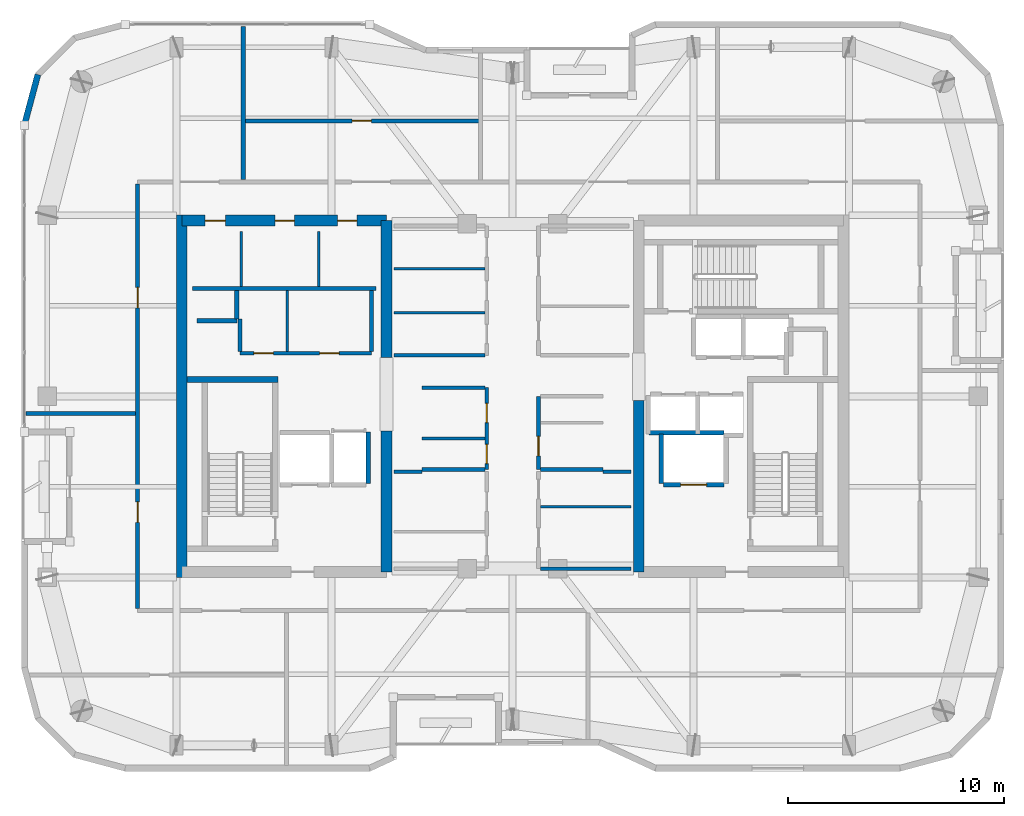
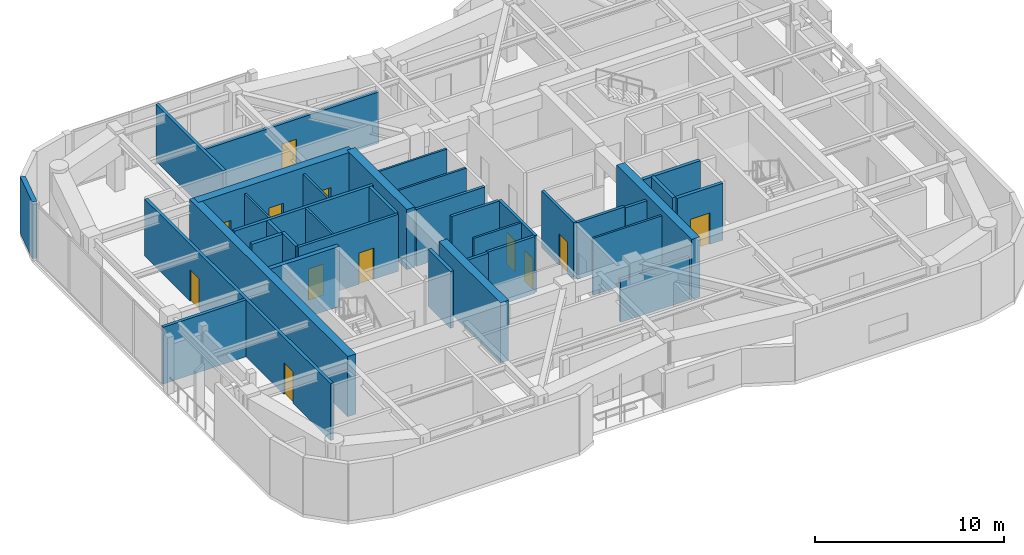
# One storey, part 11 of 16: 37 walls, 12 doors, 12 openings.
"""IFC4 building model written with IfcOpenShell, lengths in metres."""

from ifc_helpers import new_model, si_unit, direction, frame, frame_2d, origin, place, context, subcontext, project, spatial, rectangle, extrude, material, layer, layer_set, type_object, element, fill, save


model = new_model("IFC4")

# Units and contexts
model_context = context("Model", 3, precision=1e-05, world=origin(), true_north=direction((0.0, 1.0)))
body_context = subcontext(model_context, "Body", "Model", "MODEL_VIEW")
ifc_project = project(units=[si_unit("LENGTHUNIT", "METRE"), si_unit("AREAUNIT", "SQUARE_METRE"), si_unit("VOLUMEUNIT", "CUBIC_METRE"), si_unit("PLANEANGLEUNIT", "RADIAN"), si_unit("MASSUNIT", "GRAM", prefix="KILO")], contexts=[model_context])

# Site, building, storey
site_placement = place(None, origin())
site = spatial("IfcSite", under=ifc_project, at=site_placement, CompositionType="ELEMENT")
building_placement = place(site_placement, origin())
building = spatial("IfcBuilding", under=site, at=building_placement, Name="Kiyonajd Concourse Tower", CompositionType="ELEMENT")
storey_placement = place(building_placement, frame((0.0, 0.0, 329.699951171875)))
storey = spatial("IfcBuildingStorey", under=building, at=storey_placement, Name="L83", CompositionType="ELEMENT", Elevation=329.699951171875)

# Walls
ifc_material_1 = material(Name="Concrete C60/75", Category="concrete")
ifc_layer_1 = layer(ifc_material_1, 0.5)
ifc_layer_set_1 = layer_set([ifc_layer_1], Name="Concrete C60/75")
wall_type_1 = type_object("IfcWallType", Name="WL-CORE-500", PredefinedType="SHEAR", material=ifc_layer_set_1)
wall_1_placement = place(storey_placement, frame((32.64990234375, 27.60009765625, 0.0), z_axis=(0.0, 0.0, 1.0), x_axis=(0.0, 1.0, 0.0)))
element("IfcWall", 1, at=wall_1_placement, inside=storey, type_object=wall_type_1, Name="L83 West Core Outer Shear Wall", PredefinedType="SHEAR", context=body_context, shape_type="SweptSolid", body=[
    extrude(rectangle(XDim=16.7998046875, YDim=0.5, at=frame_2d((8.39990234375, 0.0))), origin(), (0.0, 0.0, 1.0), 3.900146484375),
])
wall_2_placement = place(storey_placement, frame((42.14990234375, 27.85009765625, 0.0), z_axis=(0.0, 0.0, 1.0), x_axis=(0.0, 1.0, 0.0)))
element("IfcWall", 2, at=wall_2_placement, inside=storey, type_object=wall_type_1, Name="L83 West Core Inner South Shear Wall", PredefinedType="SHEAR", context=body_context, shape_type="SweptSolid", body=[
    extrude(rectangle(XDim=6.5498046875, YDim=0.5, at=frame_2d((3.27490234375, 0.0))), origin(), (0.0, 0.0, 1.0), 3.900146484375),
])
wall_3_placement = place(storey_placement, frame((42.14990234375, 37.800048828125, 0.0), z_axis=(0.0, 0.0, 1.0), x_axis=(0.0, 1.0, 0.0)))
element("IfcWall", 3, at=wall_3_placement, inside=storey, type_object=wall_type_1, Name="L83 West Core Inner North Shear Wall", PredefinedType="SHEAR", context=body_context, shape_type="SweptSolid", body=[
    extrude(rectangle(XDim=6.349853515625, YDim=0.5, at=frame_2d((3.1748046875, 0.0))), origin(), (0.0, 0.0, 1.0), 3.900146484375),
])

# Wall, openings, doors
wall_4_placement = place(storey_placement, frame((32.64990234375, 44.14990234375, 0.0), z_axis=(0.0, 0.0, 1.0), x_axis=(1.0, 0.0, 0.0)))
wall_4 = element("IfcWall", 4, at=wall_4_placement, inside=storey, type_object=wall_type_1, Name="L83 West Core North Shear Wall", PredefinedType="SHEAR", context=body_context, shape_type="SweptSolid", body=[
    extrude(rectangle(XDim=9.5, YDim=0.5, at=frame_2d((4.75, 0.0))), origin(), (0.0, 0.0, 1.0), 3.900146484375),
])
opening_1_placement = place(wall_4_placement, frame((1.074951171875, 0.0, 0.0)))
opening_1 = element("IfcOpeningElement", 5, at=opening_1_placement, cuts=wall_4, Name="Opening DI1", PredefinedType="OPENING", context=body_context, shape_type="SweptSolid", body=[
    extrude(rectangle(XDim=0.949951171875, YDim=2.0400390625, at=frame_2d((0.47509765625, 1.02001953125))), frame((0.0, 0.260009765625, 0.0), z_axis=(0.0, -1.0, 0.0), x_axis=(1.0, 0.0, 0.0)), (0.0, 0.0, 1.0), 0.52001953125),
])
opening_2_placement = place(wall_4_placement, frame((4.324951171875, 0.0, 0.0)))
opening_2 = element("IfcOpeningElement", 6, at=opening_2_placement, cuts=wall_4, Name="Opening DI2", PredefinedType="OPENING", context=body_context, shape_type="SweptSolid", body=[
    extrude(rectangle(XDim=0.89990234375, YDim=2.02001953125, at=frame_2d((0.449951171875, 1.010009765625))), frame((0.0, 0.260009765625, 0.0), z_axis=(0.0, -1.0, 0.0), x_axis=(1.0, 0.0, 0.0)), (0.0, 0.0, 1.0), 0.52001953125),
])
opening_3_placement = place(wall_4_placement, frame((7.22509765625, 0.0, 0.0)))
opening_3 = element("IfcOpeningElement", 7, at=opening_3_placement, cuts=wall_4, Name="Opening DI2", PredefinedType="OPENING", context=body_context, shape_type="SweptSolid", body=[
    extrude(rectangle(XDim=0.89990234375, YDim=2.02001953125, at=frame_2d((0.449951171875, 1.010009765625))), frame((0.0, 0.260009765625, 0.0), z_axis=(0.0, -1.0, 0.0), x_axis=(1.0, 0.0, 0.0)), (0.0, 0.0, 1.0), 0.52001953125),
])
ifc_material_2 = material(Name="Natural Oak Acoustic Timber Veneer", Category="wood")
door_type_1 = type_object("IfcDoorType", Name="DR-INT-900", OperationType="NOTDEFINED", PredefinedType="DOOR", material=ifc_material_2)
door_1_placement = place(opening_2_placement, origin())
door_1 = element("IfcDoor", 8, at=door_1_placement, inside=storey, type_object=door_type_1, Name="L83 Male Restroom Door", OperationType="SINGLE_SWING_RIGHT", OverallHeight=2.02001953125, OverallWidth=0.89990234375, PredefinedType="DOOR", context=body_context, shape_type="SweptSolid", body=[
    extrude(rectangle(XDim=0.89990234375, YDim=2.02001953125, at=frame_2d((0.449951171875, 1.010009765625))), frame((0.0, 0.02490234375, 0.0), z_axis=(0.0, -1.0, 0.0), x_axis=(1.0, 0.0, 0.0)), (0.0, 0.0, 1.0), 0.050048828125),
])
fill(opening_2, door_1)
door_2_placement = place(opening_3_placement, origin())
door_2 = element("IfcDoor", 9, at=door_2_placement, inside=storey, type_object=door_type_1, Name="L83 Female Restroom Door", OperationType="SINGLE_SWING_LEFT", OverallHeight=2.02001953125, OverallWidth=0.89990234375, PredefinedType="DOOR", context=body_context, shape_type="SweptSolid", body=[
    extrude(rectangle(XDim=0.89990234375, YDim=2.02001953125, at=frame_2d((0.449951171875, 1.010009765625))), frame((0.0, 0.02490234375, 0.0), z_axis=(0.0, -1.0, 0.0), x_axis=(1.0, 0.0, 0.0)), (0.0, 0.0, 1.0), 0.050048828125),
])
fill(opening_3, door_2)
door_type_2 = type_object("IfcDoorType", Name="DR-INT-950", OperationType="NOTDEFINED", PredefinedType="DOOR", material=ifc_material_2)
door_3_placement = place(opening_1_placement, origin())
door_3 = element("IfcDoor", 10, at=door_3_placement, inside=storey, type_object=door_type_2, Name="L83 Single User Accessible WC Door", OperationType="SINGLE_SWING_LEFT", OverallHeight=2.0400390625, OverallWidth=0.949951171875, PredefinedType="DOOR", context=body_context, shape_type="SweptSolid", body=[
    extrude(rectangle(XDim=0.949951171875, YDim=2.0400390625, at=frame_2d((0.47509765625, 1.02001953125))), frame((0.0, 0.02490234375, 0.0), z_axis=(0.0, -1.0, 0.0), x_axis=(1.0, 0.0, 0.0)), (0.0, 0.0, 1.0), 0.050048828125),
])
fill(opening_1, door_3)

# Walls
wall_5_placement = place(storey_placement, frame((53.85009765625, 27.85009765625, 0.0), z_axis=(0.0, 0.0, 1.0), x_axis=(0.0, 1.0, 0.0)))
element("IfcWall", 11, at=wall_5_placement, inside=storey, type_object=wall_type_1, Name="L83 East Core Inner South Shear Wall", PredefinedType="SHEAR", context=body_context, shape_type="SweptSolid", body=[
    extrude(rectangle(XDim=7.949951171875, YDim=0.5, at=frame_2d((3.97509765625, 0.0))), origin(), (0.0, 0.0, 1.0), 3.900146484375),
])
ifc_material_3 = material(Name="Precast concrete C50/60", Category="concrete")
ifc_layer_2 = layer(ifc_material_3, 0.280029296875)
ifc_layer_set_2 = layer_set([ifc_layer_2], Name="Precast concrete C50/60")
wall_type_2 = type_object("IfcWallType", Name="WL-EXT-280", PredefinedType="SOLIDWALL", material=ifc_layer_set_2)
wall_6_placement = place(storey_placement, frame((25.340087890625, 48.58154296875, 0.0), z_axis=(0.0, 0.0, 1.0), x_axis=(0.258751159445, 0.965944013639, 0.0)))
element("IfcWall", 12, at=wall_6_placement, inside=storey, type_object=wall_type_2, Name="L83 Exterior Concrete Frame Wall 06", PredefinedType="SOLIDWALL", context=body_context, shape_type="SweptSolid", body=[
    extrude(rectangle(XDim=2.4287109375, YDim=0.280029296875, at=frame_2d((1.21435546875, 0.0))), origin(), (0.0, 0.0, 1.0), 3.679931640625),
])
ifc_material_4 = material(Name="Gypsum Board on Cold-Formed Steel Stud", Category="steel")
ifc_layer_3 = layer(ifc_material_4, 0.125)
ifc_layer_set_3 = layer_set([ifc_layer_3], Name="Gypsum Board on Cold-Formed Steel Stud")
wall_type_3 = type_object("IfcWallType", Name="WL-PART-125", PredefinedType="PARTITIONING", material=ifc_layer_set_3)
for number, where, z_axis, x_axis, name in (
    (13, (35.39990234375, 41.094970703125, 0.0), (0.0, 0.0, 1.0), (0.0, 1.0, 0.0), "L83 Interior Partition Wall"),
    (14, (39.0, 41.094970703125, 0.0), (0.0, 0.0, 1.0), (0.0, 1.0, 0.0), "L83 Interior Partition Wall"),
):
    element("IfcWall", number, at=place(storey_placement, frame(where, z_axis=z_axis, x_axis=x_axis)), inside=storey, type_object=wall_type_3, Name=name, PredefinedType="PARTITIONING", context=body_context, shape_type="SweptSolid", body=[
        extrude(rectangle(XDim=2.554931640625, YDim=0.125, at=frame_2d((1.27734375, 0.0))), origin(), (0.0, 0.0, 1.0), 3.679931640625),
    ])
wall_7_placement = place(storey_placement, frame((37.5458984375, 38.0869140625, 0.0), z_axis=(0.0, 0.0, 1.0), x_axis=(0.0, 1.0, 0.0)))
element("IfcWall", 15, at=wall_7_placement, inside=storey, type_object=wall_type_3, Name="L83 Interior Partition Wall", PredefinedType="PARTITIONING", context=body_context, shape_type="SweptSolid", body=[
    extrude(rectangle(XDim=2.81298828125, YDim=0.125, at=frame_2d((1.406494140625, 0.0))), origin(), (0.0, 0.0, 1.0), 3.679931640625),
])
wall_8_placement = place(storey_placement, frame((43.800048828125, 34.0439453125, 0.0), z_axis=(0.0, 0.0, 1.0), x_axis=(1.0, 0.0, 0.0)))
element("IfcWall", 16, at=wall_8_placement, inside=storey, type_object=wall_type_3, Name="L83 Interior Partition Wall", PredefinedType="PARTITIONING", context=body_context, shape_type="SweptSolid", body=[
    extrude(rectangle(XDim=2.912841796875, YDim=0.125, at=frame_2d((1.45654296875, 0.0))), origin(), (0.0, 0.0, 1.0), 3.679931640625),
])
for number, where, z_axis, x_axis, name in (
    (17, (49.287109375, 30.8798828125, 0.0), (0.0, 0.0, 1.0), (1.0, 0.0, 0.0), "L83 Interior Partition Wall"),
    (18, (42.5, 39.8798828125, 0.0), (0.0, 0.0, 1.0), (1.0, 0.0, 0.0), "L83 Interior Partition Wall"),
    (19, (42.5, 41.919921875, 0.0), (0.0, 0.0, 1.0), (1.0, 0.0, 0.0), "L83 Interior Partition Wall"),
):
    element("IfcWall", number, at=place(storey_placement, frame(where, z_axis=z_axis, x_axis=x_axis)), inside=storey, type_object=wall_type_3, Name=name, PredefinedType="PARTITIONING", context=body_context, shape_type="SweptSolid", body=[
        extrude(rectangle(XDim=4.212890625, YDim=0.125, at=frame_2d((2.1064453125, 0.0))), origin(), (0.0, 0.0, 1.0), 3.679931640625),
    ])
ifc_layer_4 = layer(ifc_material_4, 0.18994140625)
ifc_layer_set_4 = layer_set([ifc_layer_4], Name="Gypsum Board on Cold-Formed Steel Stud")
wall_type_4 = type_object("IfcWallType", Name="WL-PLMB-190", PredefinedType="PLUMBINGWALL", material=ifc_layer_set_4)
wall_9_placement = place(storey_placement, frame((33.14990234375, 41.0, 0.0), z_axis=(0.0, 0.0, 1.0), x_axis=(1.0, 0.0, 0.0)))
element("IfcWall", 20, at=wall_9_placement, inside=storey, type_object=wall_type_4, Name="L83 Interior Partition Wall", PredefinedType="PLUMBINGWALL", context=body_context, shape_type="SweptSolid", body=[
    extrude(rectangle(XDim=8.5, YDim=0.18994140625, at=frame_2d((4.25, 0.0))), origin(), (0.0, 0.0, 1.0), 3.679931640625),
])

# Wall, openings, doors
wall_10_placement = place(storey_placement, frame((30.60009765625, 26.14697265625, 0.0), z_axis=(0.0, 0.0, 1.0), x_axis=(0.0, 1.0, 0.0)))
wall_10 = element("IfcWall", 21, at=wall_10_placement, inside=storey, type_object=wall_type_4, Name="L83 Interior Partition Wall", PredefinedType="PLUMBINGWALL", context=body_context, shape_type="SweptSolid", body=[
    extrude(rectangle(XDim=19.7060546875, YDim=0.18994140625, at=frame_2d((9.85302734375, 0.0))), origin(), (0.0, 0.0, 1.0), 3.679931640625),
])
opening_4_placement = place(wall_10_placement, frame((4.0029296875, 0.0, 0.0)))
opening_4 = element("IfcOpeningElement", 22, at=opening_4_placement, cuts=wall_10, Name="Opening DI1", PredefinedType="OPENING", context=body_context, shape_type="SweptSolid", body=[
    extrude(rectangle(XDim=0.949951171875, YDim=2.0400390625, at=frame_2d((0.47509765625, 1.02001953125))), frame((0.0, 0.10498046875, 0.0), z_axis=(0.0, -1.0, 0.0), x_axis=(1.0, 0.0, 0.0)), (0.0, 0.0, 1.0), 0.2099609375),
])
opening_5_placement = place(wall_10_placement, frame((13.952880859375, 0.0, 0.0)))
opening_5 = element("IfcOpeningElement", 23, at=opening_5_placement, cuts=wall_10, Name="Opening DI1", PredefinedType="OPENING", context=body_context, shape_type="SweptSolid", body=[
    extrude(rectangle(XDim=0.949951171875, YDim=2.0400390625, at=frame_2d((0.47509765625, 1.02001953125))), frame((0.0, 0.10498046875, 0.0), z_axis=(0.0, -1.0, 0.0), x_axis=(1.0, 0.0, 0.0)), (0.0, 0.0, 1.0), 0.2099609375),
])
door_4_placement = place(opening_4_placement, origin())
door_4 = element("IfcDoor", 24, at=door_4_placement, inside=storey, type_object=door_type_2, Name="L83 Interior Door", OperationType="SINGLE_SWING_LEFT", OverallHeight=2.0400390625, OverallWidth=0.949951171875, PredefinedType="DOOR", context=body_context, shape_type="SweptSolid", body=[
    extrude(rectangle(XDim=0.949951171875, YDim=2.0400390625, at=frame_2d((0.47509765625, 1.02001953125))), frame((0.0, 0.02490234375, 0.0), z_axis=(0.0, -1.0, 0.0), x_axis=(1.0, 0.0, 0.0)), (0.0, 0.0, 1.0), 0.050048828125),
])
fill(opening_4, door_4)
door_5_placement = place(opening_5_placement, origin())
door_5 = element("IfcDoor", 25, at=door_5_placement, inside=storey, type_object=door_type_2, Name="L83 Interior Door", OperationType="SINGLE_SWING_RIGHT", OverallHeight=2.0400390625, OverallWidth=0.949951171875, PredefinedType="DOOR", context=body_context, shape_type="SweptSolid", body=[
    extrude(rectangle(XDim=0.949951171875, YDim=2.0400390625, at=frame_2d((0.47509765625, 1.02001953125))), frame((0.0, 0.02490234375, 0.0), z_axis=(0.0, -1.0, 0.0), x_axis=(1.0, 0.0, 0.0)), (0.0, 0.0, 1.0), 0.050048828125),
])
fill(opening_5, door_5)

# Wall, opening, door
wall_11_placement = place(storey_placement, frame((35.5, 48.780029296875, 0.0), z_axis=(0.0, 0.0, 1.0), x_axis=(1.0, 0.0, 0.0)))
wall_11 = element("IfcWall", 26, at=wall_11_placement, inside=storey, type_object=wall_type_4, Name="L83 Interior Partition Wall", PredefinedType="PLUMBINGWALL", context=body_context, shape_type="SweptSolid", body=[
    extrude(rectangle(XDim=11.0, YDim=0.18994140625, at=frame_2d((5.5, 0.0))), origin(), (0.0, 0.0, 1.0), 3.31103515625),
])
opening_6_placement = place(wall_11_placement, frame((5.050048828125, 0.0, 0.0)))
opening_6 = element("IfcOpeningElement", 27, at=opening_6_placement, cuts=wall_11, Name="Opening DI2", PredefinedType="OPENING", context=body_context, shape_type="SweptSolid", body=[
    extrude(rectangle(XDim=0.89990234375, YDim=2.02001953125, at=frame_2d((0.449951171875, 1.010009765625))), frame((0.0, 0.10498046875, 0.0), z_axis=(0.0, -1.0, 0.0), x_axis=(1.0, 0.0, 0.0)), (0.0, 0.0, 1.0), 0.2099609375),
])
door_6_placement = place(opening_6_placement, origin())
door_6 = element("IfcDoor", 28, at=door_6_placement, inside=storey, type_object=door_type_1, Name="L83 Interior Door", OperationType="SINGLE_SWING_LEFT", OverallHeight=2.02001953125, OverallWidth=0.89990234375, PredefinedType="DOOR", context=body_context, shape_type="SweptSolid", body=[
    extrude(rectangle(XDim=0.89990234375, YDim=2.02001953125, at=frame_2d((0.449951171875, 1.010009765625))), frame((0.0, 0.02490234375, 0.0), z_axis=(0.0, -1.0, 0.0), x_axis=(1.0, 0.0, 0.0)), (0.0, 0.0, 1.0), 0.050048828125),
])
fill(opening_6, door_6)

# Walls
wall_12_placement = place(storey_placement, frame((35.5, 46.047119140625, 0.0), z_axis=(0.0, 0.0, 1.0), x_axis=(0.0, 1.0, 0.0)))
element("IfcWall", 29, at=wall_12_placement, inside=storey, type_object=wall_type_4, Name="L83 Interior Partition Wall", PredefinedType="PLUMBINGWALL", context=body_context, shape_type="SweptSolid", body=[
    extrude(rectangle(XDim=7.117919921875, YDim=0.18994140625, at=frame_2d((3.55908203125, 0.0))), origin(), (0.0, 0.0, 1.0), 3.679931640625),
])
wall_13_placement = place(storey_placement, frame((25.425048828125, 35.199951171875, 0.0), z_axis=(0.0, 0.0, 1.0), x_axis=(1.0, 0.0, 0.0)))
element("IfcWall", 30, at=wall_13_placement, inside=storey, type_object=wall_type_4, Name="L83 Interior Partition Wall", PredefinedType="PLUMBINGWALL", context=body_context, shape_type="SweptSolid", body=[
    extrude(rectangle(XDim=5.077880859375, YDim=0.18994140625, at=frame_2d((2.5390625, 0.0))), origin(), (0.0, 0.0, 1.0), 3.679931640625),
])
ifc_layer_5 = layer(ifc_material_4, 0.2099609375)
ifc_layer_set_5 = layer_set([ifc_layer_5], Name="Gypsum Board on Cold-Formed Steel Stud")
wall_type_5 = type_object("IfcWallType", Name="WL-SHAFT-210", PredefinedType="PARTITIONING", material=ifc_layer_set_5)
wall_14_placement = place(storey_placement, frame((33.360107421875, 39.5, 0.0), z_axis=(0.0, 0.0, 1.0), x_axis=(1.0, 0.0, 0.0)))
element("IfcWall", 31, at=wall_14_placement, inside=storey, type_object=wall_type_5, Name="L83 Shaft Enclosure Wall", PredefinedType="PARTITIONING", context=body_context, shape_type="SweptSolid", body=[
    extrude(rectangle(XDim=1.85986328125, YDim=0.2099609375, at=frame_2d((0.929931640625, 0.0))), origin(), (0.0, 0.0, 1.0), 3.679931640625),
])
wall_15_placement = place(storey_placement, frame((35.199951171875, 39.580078125, 0.0), z_axis=(0.0, 0.0, 1.0), x_axis=(0.0, 1.0, 0.0)))
element("IfcWall", 32, at=wall_15_placement, inside=storey, type_object=wall_type_5, Name="L83 Shaft Enclosure Wall", PredefinedType="PARTITIONING", context=body_context, shape_type="SweptSolid", body=[
    extrude(rectangle(XDim=1.31982421875, YDim=0.2099609375, at=frame_2d((0.659912109375, 0.0))), origin(), (0.0, 0.0, 1.0), 3.679931640625),
])

# Wall, opening, door
wall_16_placement = place(storey_placement, frame((55.0, 31.89990234375, 0.0), z_axis=(0.0, 0.0, 1.0), x_axis=(1.0, 0.0, 0.0)))
wall_16 = element("IfcWall", 33, at=wall_16_placement, inside=storey, type_object=wall_type_5, Name="L83 Shaft Enclosure Wall", PredefinedType="PARTITIONING", context=body_context, shape_type="SweptSolid", body=[
    extrude(rectangle(XDim=2.800048828125, YDim=0.2099609375, at=frame_2d((1.39990234375, 0.0))), origin(), (0.0, 0.0, 1.0), 3.679931640625),
])
opening_7_placement = place(wall_16_placement, frame((0.800048828125, 0.0, 0.0)))
opening_7 = element("IfcOpeningElement", 34, at=opening_7_placement, cuts=wall_16, Name="Opening LD2", PredefinedType="OPENING", context=body_context, shape_type="SweptSolid", body=[
    extrude(rectangle(XDim=1.199951171875, YDim=2.0400390625, at=frame_2d((0.60009765625, 1.02001953125))), frame((0.0, 0.114990234375, 0.0), z_axis=(0.0, -1.0, 0.0), x_axis=(1.0, 0.0, 0.0)), (0.0, 0.0, 1.0), 0.22998046875),
])
ifc_material_5 = material(Name="Brushed Stainless Steel Cab Assembly", Category="steel")
door_type_3 = type_object("IfcDoorType", Name="DR-LD-1200", OperationType="DOUBLE_DOOR_SLIDING", PredefinedType="DOOR", material=ifc_material_5)
door_7_placement = place(opening_7_placement, origin())
door_7 = element("IfcDoor", 35, at=door_7_placement, inside=storey, type_object=door_type_3, Name="L83 Lift FFL2 Sliding Landing Door", OperationType="DOUBLE_DOOR_SLIDING", OverallHeight=2.0400390625, OverallWidth=1.199951171875, PredefinedType="DOOR", context=body_context, shape_type="SweptSolid", body=[
    extrude(rectangle(XDim=1.199951171875, YDim=2.0400390625, at=frame_2d((0.60009765625, 1.02001953125))), frame((0.0, 0.02490234375, 0.0), z_axis=(0.0, -1.0, 0.0), x_axis=(1.0, 0.0, 0.0)), (0.0, 0.0, 1.0), 0.050048828125),
])
fill(opening_7, door_7)

# Walls
wall_17_placement = place(storey_placement, frame((54.320068359375, 34.300048828125, 0.0), z_axis=(0.0, 0.0, 1.0), x_axis=(1.0, 0.0, 0.0)))
element("IfcWall", 36, at=wall_17_placement, inside=storey, type_object=wall_type_5, Name="L83 Shaft Enclosure Wall", PredefinedType="PARTITIONING", context=body_context, shape_type="SweptSolid", body=[
    extrude(rectangle(XDim=3.47998046875, YDim=0.2099609375, at=frame_2d((1.739990234375, 0.0))), origin(), (0.0, 0.0, 1.0), 3.679931640625),
])
wall_18_placement = place(storey_placement, frame((54.89990234375, 31.9599609375, 0.0), z_axis=(0.0, 0.0, 1.0), x_axis=(0.0, 1.0, 0.0)))
element("IfcWall", 37, at=wall_18_placement, inside=storey, type_object=wall_type_5, Name="L83 Shaft Enclosure Wall", PredefinedType="PARTITIONING", context=body_context, shape_type="SweptSolid", body=[
    extrude(rectangle(XDim=2.280029296875, YDim=0.2099609375, at=frame_2d((1.14013671875, 0.0))), origin(), (0.0, 0.0, 1.0), 3.679931640625),
])
wall_19_placement = place(storey_placement, frame((41.300048828125, 31.9599609375, 0.0), z_axis=(0.0, 0.0, 1.0), x_axis=(0.0, 1.0, 0.0)))
element("IfcWall", 38, at=wall_19_placement, inside=storey, type_object=wall_type_5, Name="L83 Shaft Enclosure Wall", PredefinedType="PARTITIONING", context=body_context, shape_type="SweptSolid", body=[
    extrude(rectangle(XDim=2.380126953125, YDim=0.2099609375, at=frame_2d((1.18994140625, 0.0))), origin(), (0.0, 0.0, 1.0), 3.679931640625),
])

# Wall, openings, doors
ifc_layer_6 = layer(ifc_material_4, 0.169921875)
ifc_layer_set_6 = layer_set([ifc_layer_6], Name="Gypsum Board on Cold-Formed Steel Stud")
wall_type_6 = type_object("IfcWallType", Name="WL-SMK-170", PredefinedType="PARTITIONING", material=ifc_layer_set_6)
wall_20_placement = place(storey_placement, frame((35.35009765625, 38.0, 0.0), z_axis=(0.0, 0.0, 1.0), x_axis=(1.0, 0.0, 0.0)))
wall_20 = element("IfcWall", 39, at=wall_20_placement, inside=storey, type_object=wall_type_6, Name="L83 Interior Partition Wall", PredefinedType="PARTITIONING", context=body_context, shape_type="SweptSolid", body=[
    extrude(rectangle(XDim=6.099853515625, YDim=0.169921875, at=frame_2d((3.0498046875, 0.0))), origin(), (0.0, 0.0, 1.0), 3.679931640625),
])
opening_8_placement = place(wall_20_placement, frame((0.64794921875, 0.0, 0.0)))
opening_8 = element("IfcOpeningElement", 40, at=opening_8_placement, cuts=wall_20, Name="Opening DI2", PredefinedType="OPENING", context=body_context, shape_type="SweptSolid", body=[
    extrude(rectangle(XDim=0.89990234375, YDim=2.02001953125, at=frame_2d((0.449951171875, 1.010009765625))), frame((0.0, 0.094970703125, 0.0), z_axis=(0.0, -1.0, 0.0), x_axis=(1.0, 0.0, 0.0)), (0.0, 0.0, 1.0), 0.18994140625),
])
opening_9_placement = place(wall_20_placement, frame((3.697998046875, 0.0, 0.0)))
opening_9 = element("IfcOpeningElement", 41, at=opening_9_placement, cuts=wall_20, Name="Opening DI2", PredefinedType="OPENING", context=body_context, shape_type="SweptSolid", body=[
    extrude(rectangle(XDim=0.89990234375, YDim=2.02001953125, at=frame_2d((0.449951171875, 1.010009765625))), frame((0.0, 0.094970703125, 0.0), z_axis=(0.0, -1.0, 0.0), x_axis=(1.0, 0.0, 0.0)), (0.0, 0.0, 1.0), 0.18994140625),
])
door_8_placement = place(opening_8_placement, origin())
door_8 = element("IfcDoor", 42, at=door_8_placement, inside=storey, type_object=door_type_1, Name="L83 Interior Door", OperationType="SINGLE_SWING_LEFT", OverallHeight=2.02001953125, OverallWidth=0.89990234375, PredefinedType="DOOR", context=body_context, shape_type="SweptSolid", body=[
    extrude(rectangle(XDim=0.89990234375, YDim=2.02001953125, at=frame_2d((0.449951171875, 1.010009765625))), frame((0.0, 0.02490234375, 0.0), z_axis=(0.0, -1.0, 0.0), x_axis=(1.0, 0.0, 0.0)), (0.0, 0.0, 1.0), 0.050048828125),
])
fill(opening_8, door_8)
door_9_placement = place(opening_9_placement, origin())
door_9 = element("IfcDoor", 43, at=door_9_placement, inside=storey, type_object=door_type_1, Name="L83 Interior Door", OperationType="SINGLE_SWING_RIGHT", OverallHeight=2.02001953125, OverallWidth=0.89990234375, PredefinedType="DOOR", context=body_context, shape_type="SweptSolid", body=[
    extrude(rectangle(XDim=0.89990234375, YDim=2.02001953125, at=frame_2d((0.449951171875, 1.010009765625))), frame((0.0, 0.02490234375, 0.0), z_axis=(0.0, -1.0, 0.0), x_axis=(1.0, 0.0, 0.0)), (0.0, 0.0, 1.0), 0.050048828125),
])
fill(opening_9, door_9)

# Walls
wall_21_placement = place(storey_placement, frame((35.35009765625, 38.0869140625, 0.0), z_axis=(0.0, 0.0, 1.0), x_axis=(0.0, 1.0, 0.0)))
element("IfcWall", 44, at=wall_21_placement, inside=storey, type_object=wall_type_6, Name="L83 Interior Partition Wall", PredefinedType="PARTITIONING", context=body_context, shape_type="SweptSolid", body=[
    extrude(rectangle(XDim=1.4931640625, YDim=0.169921875, at=frame_2d((0.74658203125, 0.0))), origin(), (0.0, 0.0, 1.0), 3.679931640625),
])
wall_22_placement = place(storey_placement, frame((41.449951171875, 38.0869140625, 0.0), z_axis=(0.0, 0.0, 1.0), x_axis=(0.0, 1.0, 0.0)))
element("IfcWall", 45, at=wall_22_placement, inside=storey, type_object=wall_type_6, Name="L83 Interior Partition Wall", PredefinedType="PARTITIONING", context=body_context, shape_type="SweptSolid", body=[
    extrude(rectangle(XDim=2.81298828125, YDim=0.169921875, at=frame_2d((1.406494140625, 0.0))), origin(), (0.0, 0.0, 1.0), 3.679931640625),
])

# Wall, openings, doors
wall_23_placement = place(storey_placement, frame((46.800048828125, 32.60009765625, 0.0), z_axis=(0.0, 0.0, 1.0), x_axis=(0.0, 1.0, 0.0)))
wall_23 = element("IfcWall", 46, at=wall_23_placement, inside=storey, type_object=wall_type_6, Name="L83 Interior Partition Wall", PredefinedType="PARTITIONING", context=body_context, shape_type="SweptSolid", body=[
    extrude(rectangle(XDim=3.7998046875, YDim=0.169921875, at=frame_2d((1.89990234375, 0.0))), origin(), (0.0, 0.0, 1.0), 3.679931640625),
])
opening_10_placement = place(wall_23_placement, frame((0.27197265625, 0.0, 0.0)))
opening_10 = element("IfcOpeningElement", 47, at=opening_10_placement, cuts=wall_23, Name="Opening DI2", PredefinedType="OPENING", context=body_context, shape_type="SweptSolid", body=[
    extrude(rectangle(XDim=0.89990234375, YDim=2.02001953125, at=frame_2d((0.449951171875, 1.010009765625))), frame((0.0, 0.094970703125, 0.0), z_axis=(0.0, -1.0, 0.0), x_axis=(1.0, 0.0, 0.0)), (0.0, 0.0, 1.0), 0.18994140625),
])
opening_11_placement = place(wall_23_placement, frame((2.172119140625, 0.0, 0.0)))
opening_11 = element("IfcOpeningElement", 48, at=opening_11_placement, cuts=wall_23, Name="Opening DI2", PredefinedType="OPENING", context=body_context, shape_type="SweptSolid", body=[
    extrude(rectangle(XDim=0.89990234375, YDim=2.02001953125, at=frame_2d((0.449951171875, 1.010009765625))), frame((0.0, 0.094970703125, 0.0), z_axis=(0.0, -1.0, 0.0), x_axis=(1.0, 0.0, 0.0)), (0.0, 0.0, 1.0), 0.18994140625),
])
door_10_placement = place(opening_10_placement, origin())
door_10 = element("IfcDoor", 49, at=door_10_placement, inside=storey, type_object=door_type_1, Name="L83 Interior Door", OperationType="SINGLE_SWING_LEFT", OverallHeight=2.02001953125, OverallWidth=0.89990234375, PredefinedType="DOOR", context=body_context, shape_type="SweptSolid", body=[
    extrude(rectangle(XDim=0.89990234375, YDim=2.02001953125, at=frame_2d((0.449951171875, 1.010009765625))), frame((0.0, 0.02490234375, 0.0), z_axis=(0.0, -1.0, 0.0), x_axis=(1.0, 0.0, 0.0)), (0.0, 0.0, 1.0), 0.050048828125),
])
fill(opening_10, door_10)
door_11_placement = place(opening_11_placement, origin())
door_11 = element("IfcDoor", 50, at=door_11_placement, inside=storey, type_object=door_type_1, Name="L83 Interior Door", OperationType="SINGLE_SWING_RIGHT", OverallHeight=2.02001953125, OverallWidth=0.89990234375, PredefinedType="DOOR", context=body_context, shape_type="SweptSolid", body=[
    extrude(rectangle(XDim=0.89990234375, YDim=2.02001953125, at=frame_2d((0.449951171875, 1.010009765625))), frame((0.0, 0.02490234375, 0.0), z_axis=(0.0, -1.0, 0.0), x_axis=(1.0, 0.0, 0.0)), (0.0, 0.0, 1.0), 0.050048828125),
])
fill(opening_11, door_11)

# Walls
for number, where, z_axis, x_axis, name in (
    (51, (43.800048828125, 32.60009765625, 0.0), (0.0, 0.0, 1.0), (1.0, 0.0, 0.0), "L83 Interior Partition Wall"),
    (52, (43.800048828125, 36.39990234375, 0.0), (0.0, 0.0, 1.0), (1.0, 0.0, 0.0), "L83 Interior Partition Wall"),
):
    element("IfcWall", number, at=place(storey_placement, frame(where, z_axis=z_axis, x_axis=x_axis)), inside=storey, type_object=wall_type_6, Name=name, PredefinedType="PARTITIONING", context=body_context, shape_type="SweptSolid", body=[
        extrude(rectangle(XDim=2.912841796875, YDim=0.169921875, at=frame_2d((1.45654296875, 0.0))), origin(), (0.0, 0.0, 1.0), 3.679931640625),
    ])

# Wall, opening, door
wall_24_placement = place(storey_placement, frame((49.199951171875, 32.60009765625, 0.0), z_axis=(0.0, 0.0, 1.0), x_axis=(0.0, 1.0, 0.0)))
wall_24 = element("IfcWall", 53, at=wall_24_placement, inside=storey, type_object=wall_type_6, Name="L83 Interior Partition Wall", PredefinedType="PARTITIONING", context=body_context, shape_type="SweptSolid", body=[
    extrude(rectangle(XDim=3.39990234375, YDim=0.169921875, at=frame_2d((1.699951171875, 0.0))), origin(), (0.0, 0.0, 1.0), 3.679931640625),
])
opening_12_placement = place(wall_24_placement, frame((0.637939453125, 0.0, 0.0)))
opening_12 = element("IfcOpeningElement", 54, at=opening_12_placement, cuts=wall_24, Name="Opening DF4", PredefinedType="OPENING", context=body_context, shape_type="SweptSolid", body=[
    extrude(rectangle(XDim=0.89990234375, YDim=2.02001953125, at=frame_2d((0.449951171875, 1.010009765625))), frame((0.0, 0.094970703125, 0.0), z_axis=(0.0, -1.0, 0.0), x_axis=(1.0, 0.0, 0.0)), (0.0, 0.0, 1.0), 0.18994140625),
])
door_type_4 = type_object("IfcDoorType", Name="DR-FD60-900", OperationType="NOTDEFINED", PredefinedType="DOOR", material=ifc_material_5)
door_12_placement = place(opening_12_placement, origin())
door_12 = element("IfcDoor", 55, at=door_12_placement, inside=storey, type_object=door_type_4, Name="L83 Interior Door", OperationType="SINGLE_SWING_LEFT", OverallHeight=2.02001953125, OverallWidth=0.89990234375, PredefinedType="DOOR", context=body_context, shape_type="SweptSolid", body=[
    extrude(rectangle(XDim=0.89990234375, YDim=2.02001953125, at=frame_2d((0.449951171875, 1.010009765625))), frame((0.0, 0.02490234375, 0.0), z_axis=(0.0, -1.0, 0.0), x_axis=(1.0, 0.0, 0.0)), (0.0, 0.0, 1.0), 0.050048828125),
])
fill(opening_12, door_12)

# Walls
wall_25_placement = place(storey_placement, frame((49.287109375, 32.60009765625, 0.0), z_axis=(0.0, 0.0, 1.0), x_axis=(1.0, 0.0, 0.0)))
element("IfcWall", 56, at=wall_25_placement, inside=storey, type_object=wall_type_6, Name="L83 Interior Partition Wall", PredefinedType="PARTITIONING", context=body_context, shape_type="SweptSolid", body=[
    extrude(rectangle(XDim=2.912841796875, YDim=0.169921875, at=frame_2d((1.45654296875, 0.0))), origin(), (0.0, 0.0, 1.0), 3.679931640625),
])
wall_26_placement = place(storey_placement, frame((42.5, 32.5, 0.0), z_axis=(0.0, 0.0, 1.0), x_axis=(1.0, 0.0, 0.0)))
element("IfcWall", 57, at=wall_26_placement, inside=storey, type_object=wall_type_6, Name="L83 Interior Partition Wall", PredefinedType="PARTITIONING", context=body_context, shape_type="SweptSolid", body=[
    extrude(rectangle(XDim=1.300048828125, YDim=0.169921875, at=frame_2d((0.64990234375, 0.0))), origin(), (0.0, 0.0, 1.0), 3.679931640625),
])
wall_27_placement = place(storey_placement, frame((49.287109375, 28.0, 0.0), z_axis=(0.0, 0.0, 1.0), x_axis=(1.0, 0.0, 0.0)))
element("IfcWall", 58, at=wall_27_placement, inside=storey, type_object=wall_type_6, Name="L83 Interior Partition Wall", PredefinedType="PARTITIONING", context=body_context, shape_type="SweptSolid", body=[
    extrude(rectangle(XDim=4.212890625, YDim=0.169921875, at=frame_2d((2.1064453125, 0.0))), origin(), (0.0, 0.0, 1.0), 2.76513671875),
])
wall_28_placement = place(storey_placement, frame((52.199951171875, 32.5, 0.0), z_axis=(0.0, 0.0, 1.0), x_axis=(1.0, 0.0, 0.0)))
element("IfcWall", 59, at=wall_28_placement, inside=storey, type_object=wall_type_6, Name="L83 Interior Partition Wall", PredefinedType="PARTITIONING", context=body_context, shape_type="SweptSolid", body=[
    extrude(rectangle(XDim=1.300048828125, YDim=0.169921875, at=frame_2d((0.64990234375, 0.0))), origin(), (0.0, 0.0, 1.0), 3.679931640625),
])
wall_29_placement = place(storey_placement, frame((42.5, 37.89990234375, 0.0), z_axis=(0.0, 0.0, 1.0), x_axis=(1.0, 0.0, 0.0)))
element("IfcWall", 60, at=wall_29_placement, inside=storey, type_object=wall_type_6, Name="L83 Interior Partition Wall", PredefinedType="PARTITIONING", context=body_context, shape_type="SweptSolid", body=[
    extrude(rectangle(XDim=4.212890625, YDim=0.169921875, at=frame_2d((2.1064453125, 0.0))), origin(), (0.0, 0.0, 1.0), 3.679931640625),
])
ifc_material_6 = material(Name="Concrete C50/60", Category="concrete")
ifc_layer_7 = layer(ifc_material_6, 0.260009765625)
ifc_layer_set_7 = layer_set([ifc_layer_7], Name="Concrete C50/60")
wall_type_7 = type_object("IfcWallType", Name="WL-STAIR-260", PredefinedType="SHEAR", material=ifc_layer_set_7)
wall_30_placement = place(storey_placement, frame((32.89990234375, 36.780029296875, 0.0), z_axis=(0.0, 0.0, 1.0), x_axis=(1.0, 0.0, 0.0)))
element("IfcWall", 61, at=wall_30_placement, inside=storey, type_object=wall_type_7, Name="L83 Stair ST1 Structural North Wall", PredefinedType="SHEAR", context=body_context, shape_type="SweptSolid", body=[
    extrude(rectangle(XDim=4.210205078125, YDim=0.260009765625, at=frame_2d((2.10498046875, 0.0))), origin(), (0.0, 0.0, 1.0), 3.900146484375),
])

save(model, "model.ifc")
